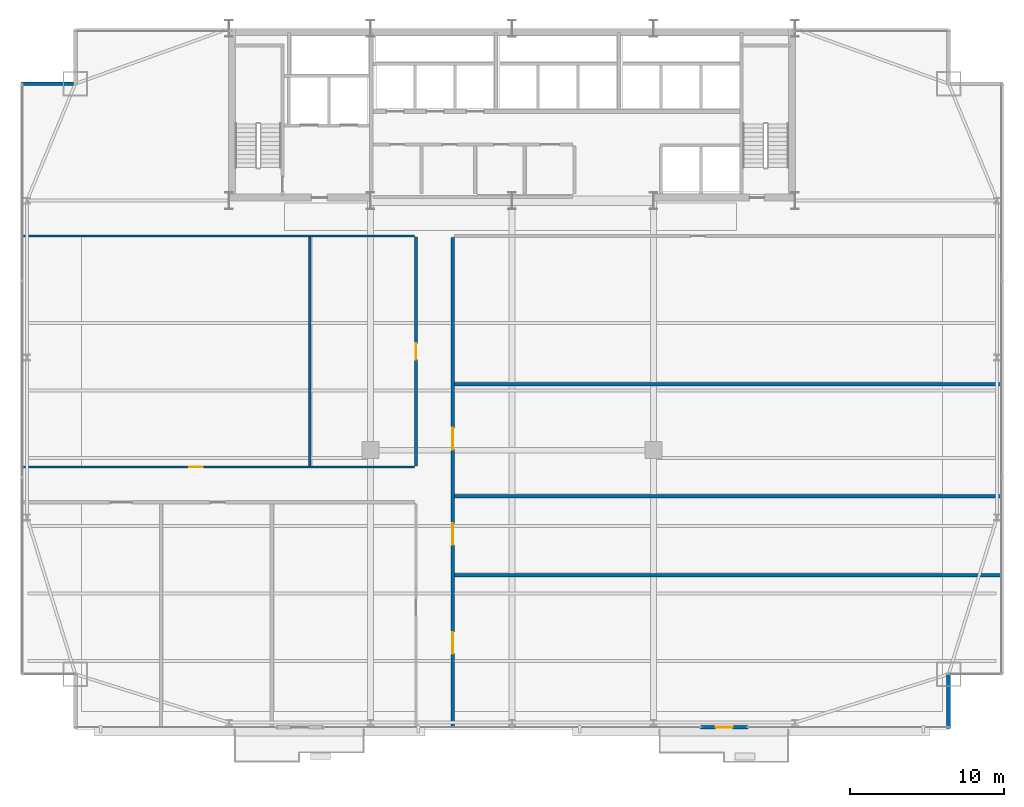
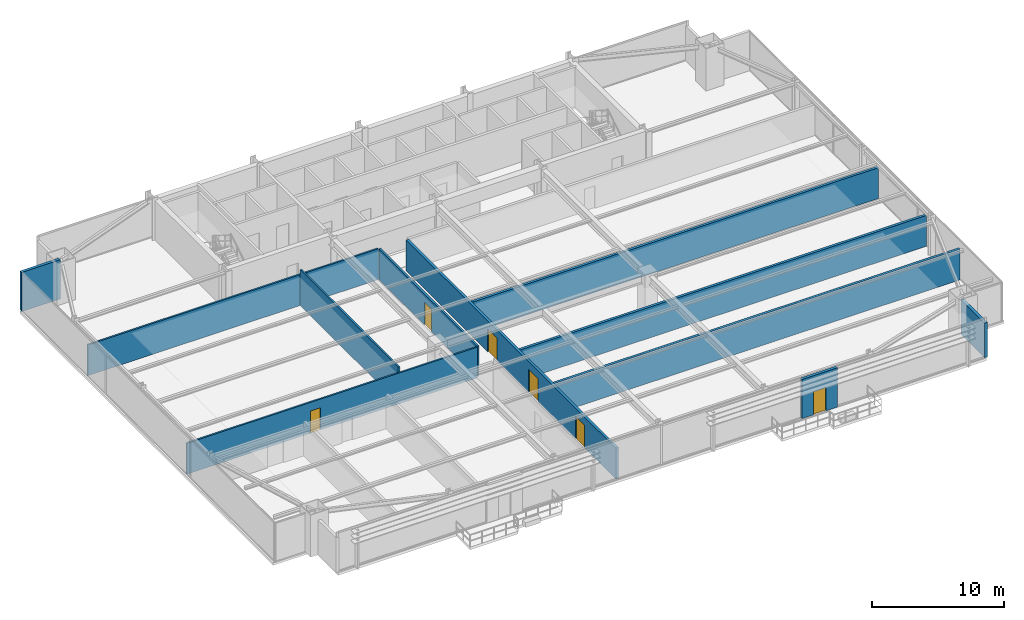
# One storey, part 25 of 29: 11 walls, 6 doors, 6 openings.
"""IFC4 building model written with IfcOpenShell, lengths in metres."""

import ifcopenshell
import ifcopenshell.guid

model = None  # the IFC model being written
_history = None  # IfcOwnerHistory: only IFC2X3 demands one
_inside = {}  # id of a spatial element -> (the spatial element, [elements in it])
_under = {}  # id of a project, library or spatial element -> (it, [spatial elements below it])
_declared = {}  # id of a project -> (the project, [libraries it declares])
_typed = {}  # id of a type object -> (the type object, [elements of that type])
_made_of = {}  # id of a material, layer set ... -> (it, [elements and type objects made of it])


def new_model(schema):
    """Start an empty IFC model of exactly this schema.

    Asked for "IFC4X3", IfcOpenShell would pick the latest addendum, in which some entities
    have other attributes; the version numbers below select the first issue.
    IFC2X3 requires an IfcOwnerHistory on every rooted entity: one is made here for all.
    """
    global model, _history
    if schema == "IFC4X3":
        model = ifcopenshell.file(schema_version=(4, 3, 0, 0))
    else:
        model = ifcopenshell.file(schema=schema)
    _inside.clear()
    _under.clear()
    _declared.clear()
    _typed.clear()
    _made_of.clear()
    _history = None
    if model.schema == "IFC2X3":
        org = make("IfcOrganization", Name="unknown")
        user = make(
            "IfcPersonAndOrganization",
            ThePerson=make("IfcPerson", FamilyName="unknown"),
            TheOrganization=org,
        )
        app = make(
            "IfcApplication",
            ApplicationDeveloper=org,
            Version="unknown",
            ApplicationFullName="unknown",
            ApplicationIdentifier="unknown",
        )
        _history = make(
            "IfcOwnerHistory",
            OwningUser=user,
            OwningApplication=app,
            ChangeAction="ADDED",
            CreationDate=0,
        )
    return model


def make(cls, **values):
    """One entity of the class cls with the attributes given. An attribute that is None is left unset."""
    return model.create_entity(
        cls, **{name: value for name, value in values.items() if value is not None}
    )


def rooted(cls, **values):
    """An entity with a GlobalId (a new one), such as an element, a storey or a relation."""
    return make(cls, GlobalId=ifcopenshell.guid.new(), OwnerHistory=_history, **values)


def si_unit(unit_type, name, prefix=None):
    """IfcSIUnit, for example si_unit("LENGTHUNIT", "METRE", prefix="MILLI")."""
    return make("IfcSIUnit", UnitType=unit_type, Prefix=prefix, Name=name)


def assignment(units):
    """IfcUnitAssignment: the units of a project."""
    return None if units is None else make("IfcUnitAssignment", Units=units)


def point(xyz):
    """IfcCartesianPoint."""
    return None if xyz is None else make("IfcCartesianPoint", Coordinates=xyz)


def direction(xyz):
    """IfcDirection."""
    return None if xyz is None else make("IfcDirection", DirectionRatios=xyz)


def frame(location, z_axis=None, x_axis=None):
    """IfcAxis2Placement3D, a coordinate frame: its origin and axes. An axis left out is left unset."""
    return make(
        "IfcAxis2Placement3D",
        Location=point(location),
        Axis=direction(z_axis),
        RefDirection=direction(x_axis),
    )


def frame_2d(location, x_axis=None):
    """IfcAxis2Placement2D, a coordinate frame in the plane: its origin and x axis."""
    return make(
        "IfcAxis2Placement2D", Location=point(location), RefDirection=direction(x_axis)
    )


def origin():
    """The frame at (0, 0, 0) with its axes left unset."""
    return frame((0.0, 0.0, 0.0))


def place(relative_to, where):
    """IfcLocalPlacement: puts the frame where relative to a parent placement (None: the world)."""
    return make(
        "IfcLocalPlacement", PlacementRelTo=relative_to, RelativePlacement=where
    )


def context(
    kind, dimensions, precision=None, world=None, true_north=None, identifier=None
):
    """IfcGeometricRepresentationContext, for example the 3D "Model" context."""
    return make(
        "IfcGeometricRepresentationContext",
        ContextIdentifier=identifier,
        ContextType=kind,
        CoordinateSpaceDimension=dimensions,
        Precision=precision,
        WorldCoordinateSystem=world,
        TrueNorth=true_north,
    )


def subcontext(parent, identifier, kind, view, scale=None):
    """IfcGeometricRepresentationSubContext, for example "Body" below "Model"."""
    return make(
        "IfcGeometricRepresentationSubContext",
        ContextIdentifier=identifier,
        ContextType=kind,
        ParentContext=parent,
        TargetScale=scale,
        TargetView=view,
    )


def project(units=None, contexts=None):
    """IfcProject with its units and contexts."""
    return rooted(
        "IfcProject",
        Name="project",
        RepresentationContexts=contexts,
        UnitsInContext=assignment(units),
    )


def spatial(cls, under=None, at=None, **own):
    """A site, building, storey or space (cls), placed at a placement, below another one or the project."""
    s = rooted(cls, ObjectPlacement=at, **own)
    if under is not None:
        _under.setdefault(under.id(), (under, []))[1].append(s)
    return s


def profile(cls, at=None, kind="AREA", **sizes):
    """A parametric profile (cls). Its sizes go by their IFC names, for example OverallWidth=200.0."""
    return make(cls, ProfileType=kind, Position=at, **sizes)


def rectangle(**sizes):
    """IfcRectangleProfileDef."""
    return profile("IfcRectangleProfileDef", **sizes)


def extrude(swept, where, along, depth):
    """IfcExtrudedAreaSolid: the profile swept, set in the frame where, extruded along a direction by depth."""
    return make(
        "IfcExtrudedAreaSolid",
        SweptArea=swept,
        Position=where,
        ExtrudedDirection=direction(along),
        Depth=depth,
    )


def shape(context_of_items, identifier, shape_type, items):
    """IfcShapeRepresentation: the items that make up one representation, for example the "Body"."""
    return make(
        "IfcShapeRepresentation",
        ContextOfItems=context_of_items,
        RepresentationIdentifier=identifier,
        RepresentationType=shape_type,
        Items=items,
    )


def source(mapping_origin, context_of_items, identifier, shape_type, items):
    """IfcRepresentationMap: a shape defined once, which mapped items show again and again."""
    return make(
        "IfcRepresentationMap",
        MappingOrigin=mapping_origin,
        MappedRepresentation=shape(context_of_items, identifier, shape_type, items),
    )


def transform(
    local_origin,
    x_axis=None,
    y_axis=None,
    z_axis=None,
    scale=None,
    scale2=None,
    scale3=None,
    uniform=True,
):
    """IfcCartesianTransformationOperator3D, or its non-uniform kind. x_axis, y_axis, z_axis: its Axis1, 2, 3."""
    if uniform:
        return make(
            "IfcCartesianTransformationOperator3D",
            Axis1=direction(x_axis),
            Axis2=direction(y_axis),
            LocalOrigin=point(local_origin),
            Scale=scale,
            Axis3=direction(z_axis),
        )
    return make(
        "IfcCartesianTransformationOperator3DnonUniform",
        Axis1=direction(x_axis),
        Axis2=direction(y_axis),
        LocalOrigin=point(local_origin),
        Scale=scale,
        Axis3=direction(z_axis),
        Scale2=scale2,
        Scale3=scale3,
    )


def mapped(mapping_source, mapping_target):
    """IfcMappedItem: shows the shape of a source again, moved by a transform."""
    return make(
        "IfcMappedItem", MappingSource=mapping_source, MappingTarget=mapping_target
    )


def material(Name=None, Category=None):
    """IfcMaterial."""
    return make("IfcMaterial", Name=Name, Category=Category)


def layer(
    of_material, thickness, ventilated=None, Name=None, Category=None, Priority=None
):
    """IfcMaterialLayer: one layer of a wall or slab, of a material (None: an air gap)."""
    return make(
        "IfcMaterialLayer",
        Material=of_material,
        LayerThickness=thickness,
        IsVentilated=ventilated,
        Name=Name,
        Category=Category,
        Priority=Priority,
    )


def layer_set(layers, Name=None):
    """IfcMaterialLayerSet."""
    return make("IfcMaterialLayerSet", MaterialLayers=layers, LayerSetName=Name)


def made_of(thing, what):
    """Note that an element or type object is made of a material, layer set ...; save() writes the relation."""
    if what is not None:
        _made_of.setdefault(what.id(), (what, []))[1].append(thing)
    return thing


def type_object(cls, material=None, **own):
    """A type object (cls), such as IfcWallType, which elements share."""
    return made_of(rooted(cls, **own), material)


def type_shapes(of_type, sources):
    """Give a type object the sources (RepresentationMaps) that its elements show as mapped items."""
    of_type.RepresentationMaps = sources


def element(
    cls,
    number,
    at=None,
    inside=None,
    cuts=None,
    type_object=None,
    material=None,
    context=None,
    identifier="Body",
    shape_type=None,
    held_by="IfcProductDefinitionShape",
    body=None,
    shapes=None,
    **own,
):
    """One element of the class cls, such as IfcWall. Its Tag is "e" and its number.

    at: its placement. inside: the storey or other place that contains it. cuts: it is an
    opening in that element (IfcRelVoidsElement). A single representation is given by context,
    identifier, shape_type and body (its items); several are given by shapes. held_by: the class
    of the entity that holds the representations. save() writes the other relations.
    """
    e = rooted(cls, Tag="e%d" % number, ObjectPlacement=at, **own)
    if body is not None:
        shapes = [shape(context, identifier, shape_type, body)]
    if shapes is not None:
        e.Representation = make(held_by, Representations=shapes)
    if inside is not None:
        _inside.setdefault(inside.id(), (inside, []))[1].append(e)
    if cuts is not None:
        rooted(
            "IfcRelVoidsElement", RelatingBuildingElement=cuts, RelatedOpeningElement=e
        )
    if type_object is not None:
        _typed.setdefault(type_object.id(), (type_object, []))[1].append(e)
    return made_of(e, material)


def fill(opening, filler):
    """IfcRelFillsElement: the door or window that sits in an opening."""
    return rooted(
        "IfcRelFillsElement",
        RelatingOpeningElement=opening,
        RelatedBuildingElement=filler,
    )


def aggregate(whole, parts):
    """IfcRelAggregates: a whole, such as a stair, and the parts it consists of."""
    return rooted("IfcRelAggregates", RelatingObject=whole, RelatedObjects=parts)


def save(model, path):
    """Write the relations noted so far, then the file.

    IfcRelAggregates (storeys below a building ...), IfcRelContainedInSpatialStructure (elements
    in a storey), IfcRelDefinesByType, IfcRelAssociatesMaterial and IfcRelDeclares: one each for
    every whole, place, type object, material and project.
    """
    for whole, parts in _under.values():
        aggregate(whole, parts)
    for where, things in _inside.values():
        rooted(
            "IfcRelContainedInSpatialStructure",
            RelatedElements=things,
            RelatingStructure=where,
        )
    for kind, things in _typed.values():
        rooted("IfcRelDefinesByType", RelatedObjects=things, RelatingType=kind)
    for what, things in _made_of.values():
        rooted("IfcRelAssociatesMaterial", RelatedObjects=things, RelatingMaterial=what)
    for by, libraries in _declared.values():
        rooted("IfcRelDeclares", RelatingContext=by, RelatedDefinitions=libraries)
    model.write(path)


model = new_model("IFC4")

# Units and contexts
model_context = context("Model", 3, precision=1e-05, world=origin(), true_north=direction((0.0, 1.0)))
body_context = subcontext(model_context, "Body", "Model", "MODEL_VIEW")
ifc_project = project(units=[si_unit("LENGTHUNIT", "METRE"), si_unit("AREAUNIT", "SQUARE_METRE"), si_unit("VOLUMEUNIT", "CUBIC_METRE"), si_unit("PLANEANGLEUNIT", "RADIAN"), si_unit("MASSUNIT", "GRAM", prefix="KILO")], contexts=[model_context])

# Site, building, storey
site_placement = place(None, origin())
site = spatial("IfcSite", under=ifc_project, at=site_placement, CompositionType="ELEMENT")
building_placement = place(site_placement, origin())
building = spatial("IfcBuilding", under=site, at=building_placement, Name="Varnel Quay Broadcast Tower", CompositionType="ELEMENT")
storey_placement = place(building_placement, frame((0.0, 0.0, 74.39990234375)))
storey = spatial("IfcBuildingStorey", under=building, at=storey_placement, Name="L17", CompositionType="ELEMENT", Elevation=74.39990234375)

# Wall, opening, door
ifc_material_1 = material(Name="Precast Architectural Concrete C40/50", Category="concrete")
ifc_layer_1 = layer(ifc_material_1, 0.25, Name="Precast Architectural Concrete C40/50")
ifc_layer_set_1 = layer_set([ifc_layer_1], Name="Precast Architectural Concrete C40/50")
wall_type_1 = type_object("IfcWallType", Name="Wall_ExtTerrace250", PredefinedType="SOLIDWALL", material=ifc_layer_set_1)
wall_1_placement = place(storey_placement, frame((46.25, 1.35009765625, 0.0), z_axis=(0.0, 0.0, 1.0), x_axis=(1.0, 0.0, 0.0)))
wall_1 = element("IfcWall", 1, at=wall_1_placement, inside=storey, type_object=wall_type_1, Name="L17 Terrace Access Wall 2", PredefinedType="SOLIDWALL", context=body_context, shape_type="SweptSolid", body=[
    extrude(rectangle(XDim=3.10009765625, YDim=0.25, at=frame_2d((1.550048828125, 0.0))), origin(), (0.0, 0.0, 1.0), 3.630126953125),
])
opening_1_placement = place(wall_1_placement, frame((1.0, 0.0, 0.0)))
opening_1 = element("IfcOpeningElement", 2, at=opening_1_placement, cuts=wall_1, Name="Opening TD-172", PredefinedType="OPENING", context=body_context, shape_type="SweptSolid", body=[
    extrude(rectangle(XDim=1.10009765625, YDim=2.14990234375, at=frame_2d((0.550048828125, 1.074951171875))), frame((0.0, 0.135009765625, 0.0), z_axis=(0.0, -1.0, 0.0), x_axis=(1.0, 0.0, 0.0)), (0.0, 0.0, 1.0), 0.27001953125),
])
ifc_material_2 = material(Name="Anodised Bronze Aluminium 6063-T6", Category="aluminium")
door_type_1 = type_object("IfcDoorType", Name="Door_ExtTerrace1100", OperationType="NOTDEFINED", PredefinedType="DOOR", material=ifc_material_2)
shared_shape_1 = source(origin(), body_context, "Body", "SweptSolid", [
    extrude(rectangle(XDim=1.10009765625, YDim=2.14990234375, at=frame_2d((0.550048828125, 1.074951171875))), frame((0.0, 0.02490234375, 0.0), z_axis=(0.0, -1.0, 0.0), x_axis=(1.0, 0.0, 0.0)), (0.0, 0.0, 1.0), 0.050048828125),
])
type_shapes(door_type_1, [shared_shape_1])
door_1_placement = place(opening_1_placement, frame((1.10009765625, 0.0, 0.0), z_axis=(0.0, 0.0, 1.0), x_axis=(-1.0, 0.0, 0.0)))
door_1 = element("IfcDoor", 3, at=door_1_placement, inside=storey, type_object=door_type_1, Name="L17 Terrace Door TD-172", OperationType="SINGLE_SWING_RIGHT", OverallHeight=2.14990234375, OverallWidth=1.10009765625, PredefinedType="DOOR", context=body_context, shape_type="MappedRepresentation", body=[
    mapped(shared_shape_1, transform((0.0, 0.0, 0.0), x_axis=(1.0, 0.0, 0.0), y_axis=(0.0, 1.0, 0.0), z_axis=(0.0, 0.0, 1.0), scale=1.0)),
])
fill(opening_1, door_1)

# Walls
wall_2_placement = place(storey_placement, frame((62.39990234375, 1.280029296875, 0.0), z_axis=(0.0, 0.0, 1.0), x_axis=(0.0, 1.0, 0.0)))
element("IfcWall", 4, at=wall_2_placement, inside=storey, type_object=wall_type_1, Name="L17 Mega-Column Notch Cladding Wall NSE2", PredefinedType="SOLIDWALL", context=body_context, shape_type="SweptSolid", body=[
    extrude(rectangle(XDim=3.599853515625, YDim=0.25, at=frame_2d((1.7998046875, 0.0))), origin(), (0.0, 0.0, 1.0), 3.2080078125),
])
wall_3_placement = place(storey_placement, frame((2.080078125, 43.199951171875, 0.0), z_axis=(0.0, 0.0, 1.0), x_axis=(1.0, 0.0, 0.0)))
element("IfcWall", 5, at=wall_3_placement, inside=storey, type_object=wall_type_1, Name="L17 Mega-Column Notch Cladding Wall NNW1", PredefinedType="SOLIDWALL", context=body_context, shape_type="SweptSolid", body=[
    extrude(rectangle(XDim=3.389892578125, YDim=0.25, at=frame_2d((1.69482421875, 0.0))), origin(), (0.0, 0.0, 1.0), 3.630126953125),
])

# Wall, opening, door
ifc_material_3 = material(Name="Steel-Stud Fire-Rated Acoustic Gypsum Partition Assembly", Category="steel")
ifc_layer_2 = layer(ifc_material_3, 0.14990234375, Name="Steel-Stud Fire-Rated Acoustic Gypsum Partition Assembly")
ifc_layer_set_2 = layer_set([ifc_layer_2], Name="Steel-Stud Fire-Rated Acoustic Gypsum Partition Assembly")
wall_type_2 = type_object("IfcWallType", Name="Wall_Partition150", PredefinedType="PARTITIONING", material=ifc_layer_set_2)
wall_4_placement = place(storey_placement, frame((2.179931640625, 18.280029296875, 0.0), z_axis=(0.0, 0.0, 1.0), x_axis=(1.0, 0.0, 0.0)))
wall_4 = element("IfcWall", 6, at=wall_4_placement, inside=storey, type_object=wall_type_2, Name="L17 Pantry Niche 4 Partition 11", PredefinedType="PARTITIONING", context=body_context, shape_type="SweptSolid", body=[
    extrude(rectangle(XDim=25.469970703125, YDim=0.14990234375, at=frame_2d((12.73486328125, 0.0))), origin(), (0.0, 0.0, 1.0), 2.85205078125),
])
opening_2_placement = place(wall_4_placement, frame((10.830078125, 0.0, 0.0)))
opening_2 = element("IfcOpeningElement", 7, at=opening_2_placement, cuts=wall_4, Name="Opening D-L17-08", PredefinedType="OPENING", context=body_context, shape_type="SweptSolid", body=[
    extrude(rectangle(XDim=0.8798828125, YDim=2.06005859375, at=frame_2d((0.43994140625, 1.030029296875))), frame((0.0, 0.0849609375, 0.0), z_axis=(0.0, -1.0, 0.0), x_axis=(1.0, 0.0, 0.0)), (0.0, 0.0, 1.0), 0.169921875),
])
ifc_material_4 = material(Name="Solid-Core Fire-Rated Acoustic Oak Veneer Door", Category="wood")
door_type_2 = type_object("IfcDoorType", Name="Door_Booth880", OperationType="NOTDEFINED", PredefinedType="DOOR", material=ifc_material_4)
shared_shape_2 = source(origin(), body_context, "Body", "SweptSolid", [
    extrude(rectangle(XDim=0.8798828125, YDim=2.06005859375, at=frame_2d((0.43994140625, 1.030029296875))), frame((0.0, 0.02490234375, 0.0), z_axis=(0.0, -1.0, 0.0), x_axis=(1.0, 0.0, 0.0)), (0.0, 0.0, 1.0), 0.050048828125),
])
type_shapes(door_type_2, [shared_shape_2])
door_2_placement = place(opening_2_placement, origin())
door_2 = element("IfcDoor", 8, at=door_2_placement, inside=storey, type_object=door_type_2, Name="L17 Pantry Niche 4 Door D-L17-08", OperationType="SINGLE_SWING_LEFT", OverallHeight=2.06005859375, OverallWidth=0.8798828125, PredefinedType="DOOR", context=body_context, shape_type="MappedRepresentation", body=[
    mapped(shared_shape_2, transform((0.0, 0.0, 0.0), x_axis=(1.0, 0.0, 0.0), y_axis=(0.0, 1.0, 0.0), z_axis=(0.0, 0.0, 1.0), scale=1.0)),
])
fill(opening_2, door_2)

# Walls
wall_5_placement = place(storey_placement, frame((20.85009765625, 18.35498046875, 0.0), z_axis=(0.0, 0.0, 1.0), x_axis=(0.0, 1.0, 0.0)))
element("IfcWall", 9, at=wall_5_placement, inside=storey, type_object=wall_type_2, Name="L17 Pantry Niche 4 Partition 12", PredefinedType="PARTITIONING", context=body_context, shape_type="SweptSolid", body=[
    extrude(rectangle(XDim=14.8701171875, YDim=0.14990234375, at=frame_2d((7.43505859375, 0.0))), origin(), (0.0, 0.0, 1.0), 3.322021484375),
])
wall_6_placement = place(storey_placement, frame((2.179931640625, 33.300048828125, 0.0), z_axis=(0.0, 0.0, 1.0), x_axis=(1.0, 0.0, 0.0)))
element("IfcWall", 10, at=wall_6_placement, inside=storey, type_object=wall_type_2, Name="L17 Pantry Niche 4 Partition 13", PredefinedType="PARTITIONING", context=body_context, shape_type="SweptSolid", body=[
    extrude(rectangle(XDim=25.469970703125, YDim=0.14990234375, at=frame_2d((12.73486328125, 0.0))), origin(), (0.0, 0.0, 1.0), 2.85205078125),
])

# Wall, opening, door
ifc_layer_3 = layer(ifc_material_3, 0.175048828125, Name="Steel-Stud Fire-Rated Acoustic Gypsum Partition Assembly")
ifc_layer_set_3 = layer_set([ifc_layer_3], Name="Steel-Stud Fire-Rated Acoustic Gypsum Partition Assembly")
wall_type_3 = type_object("IfcWallType", Name="Wall_Partition175", PredefinedType="PARTITIONING", material=ifc_layer_set_3)
wall_7_placement = place(storey_placement, frame((27.75, 18.35498046875, 0.0), z_axis=(0.0, 0.0, 1.0), x_axis=(0.0, 1.0, 0.0)))
wall_7 = element("IfcWall", 11, at=wall_7_placement, inside=storey, type_object=wall_type_3, Name="L17 Broadcast Seminar Room 5 Partition 14", PredefinedType="PARTITIONING", context=body_context, shape_type="SweptSolid", body=[
    extrude(rectangle(XDim=14.8701171875, YDim=0.175048828125, at=frame_2d((7.43505859375, 0.0))), origin(), (0.0, 0.0, 1.0), 2.85205078125),
])
opening_3_placement = place(wall_7_placement, frame((6.909912109375, 0.0, 0.0)))
opening_3 = element("IfcOpeningElement", 12, at=opening_3_placement, cuts=wall_7, Name="Opening D-L17-09", PredefinedType="OPENING", context=body_context, shape_type="SweptSolid", body=[
    extrude(rectangle(XDim=1.050048828125, YDim=2.10009765625, at=frame_2d((0.52490234375, 1.050048828125))), frame((0.0, 0.09765625, 0.0), z_axis=(0.0, -1.0, 0.0), x_axis=(1.0, 0.0, 0.0)), (0.0, 0.0, 1.0), 0.195068359375),
])
door_type_3 = type_object("IfcDoorType", Name="Door_Meeting1050", OperationType="NOTDEFINED", PredefinedType="DOOR", material=ifc_material_4)
shared_shape_3 = source(origin(), body_context, "Body", "SweptSolid", [
    extrude(rectangle(XDim=1.050048828125, YDim=2.10009765625, at=frame_2d((0.52490234375, 1.050048828125))), frame((0.0, 0.02490234375, 0.0), z_axis=(0.0, -1.0, 0.0), x_axis=(1.0, 0.0, 0.0)), (0.0, 0.0, 1.0), 0.050048828125),
])
type_shapes(door_type_3, [shared_shape_3])
door_3_placement = place(opening_3_placement, origin())
door_3 = element("IfcDoor", 13, at=door_3_placement, inside=storey, type_object=door_type_3, Name="L17 Broadcast Seminar Room 5 Door D-L17-09", OperationType="SINGLE_SWING_RIGHT", OverallHeight=2.10009765625, OverallWidth=1.050048828125, PredefinedType="DOOR", context=body_context, shape_type="MappedRepresentation", body=[
    mapped(shared_shape_3, transform((0.0, 0.0, 0.0), x_axis=(1.0, 0.0, 0.0), y_axis=(0.0, 1.0, 0.0), z_axis=(0.0, 0.0, 1.0), scale=1.0)),
])
fill(opening_3, door_3)

# Wall
ifc_layer_4 = layer(ifc_material_3, 0.22509765625, Name="Steel-Stud Fire-Rated Acoustic Gypsum Partition Assembly")
ifc_layer_set_4 = layer_set([ifc_layer_4], Name="Steel-Stud Fire-Rated Acoustic Gypsum Partition Assembly")
wall_type_4 = type_object("IfcWallType", Name="Wall_Partition225", PredefinedType="PARTITIONING", material=ifc_layer_set_4)
wall_8_placement = place(storey_placement, frame((30.25, 11.239990234375, 0.0), z_axis=(0.0, 0.0, 1.0), x_axis=(1.0, 0.0, 0.0)))
element("IfcWall", 14, at=wall_8_placement, inside=storey, type_object=wall_type_4, Name="L17 Podcast Recording Studio 6 Partition 15", PredefinedType="PARTITIONING", context=body_context, shape_type="SweptSolid", body=[
    extrude(rectangle(XDim=35.570068359375, YDim=0.22509765625, at=frame_2d((17.78515625, 0.0))), origin(), (0.0, 0.0, 1.0), 2.85205078125),
])

# Wall, openings, doors
wall_9_placement = place(storey_placement, frame((30.14990234375, 1.3798828125, 0.0), z_axis=(0.0, 0.0, 1.0), x_axis=(0.0, 1.0, 0.0)))
wall_9 = element("IfcWall", 15, at=wall_9_placement, inside=storey, type_object=wall_type_4, Name="L17 Podcast Recording Studio 6 Partition 16", PredefinedType="PARTITIONING", context=body_context, shape_type="SweptSolid", body=[
    extrude(rectangle(XDim=31.80810546875, YDim=0.22509765625, at=frame_2d((15.904052734375, 0.0))), origin(), (0.0, 0.0, 1.0), 2.85205078125),
])
opening_4_placement = place(wall_9_placement, frame((4.760009765625, 0.0, 0.0)))
opening_4 = element("IfcOpeningElement", 16, at=opening_4_placement, cuts=wall_9, Name="Opening D-L17-10", PredefinedType="OPENING", context=body_context, shape_type="SweptSolid", body=[
    extrude(rectangle(XDim=1.39990234375, YDim=2.1201171875, at=frame_2d((0.699951171875, 1.06005859375))), frame((0.0, 0.12255859375, 0.0), z_axis=(0.0, -1.0, 0.0), x_axis=(1.0, 0.0, 0.0)), (0.0, 0.0, 1.0), 0.2451171875),
])
opening_5_placement = place(wall_9_placement, frame((11.824951171875, 0.0, 0.0)))
opening_5 = element("IfcOpeningElement", 17, at=opening_5_placement, cuts=wall_9, Name="Opening D-L17-11", PredefinedType="OPENING", context=body_context, shape_type="SweptSolid", body=[
    extrude(rectangle(XDim=1.39990234375, YDim=2.1201171875, at=frame_2d((0.699951171875, 1.06005859375))), frame((0.0, 0.12255859375, 0.0), z_axis=(0.0, -1.0, 0.0), x_axis=(1.0, 0.0, 0.0)), (0.0, 0.0, 1.0), 0.2451171875),
])
opening_6_placement = place(wall_9_placement, frame((18.034912109375, 0.0, 0.0)))
opening_6 = element("IfcOpeningElement", 18, at=opening_6_placement, cuts=wall_9, Name="Opening D-L17-12", PredefinedType="OPENING", context=body_context, shape_type="SweptSolid", body=[
    extrude(rectangle(XDim=1.39990234375, YDim=2.1201171875, at=frame_2d((0.699951171875, 1.06005859375))), frame((0.0, 0.12255859375, 0.0), z_axis=(0.0, -1.0, 0.0), x_axis=(1.0, 0.0, 0.0)), (0.0, 0.0, 1.0), 0.2451171875),
])
door_type_4 = type_object("IfcDoorType", Name="Door_Gallery1400", OperationType="DOUBLE_DOOR_SINGLE_SWING", PredefinedType="DOOR", material=ifc_material_4)
shared_shape_4 = source(origin(), body_context, "Body", "SweptSolid", [
    extrude(rectangle(XDim=1.39990234375, YDim=2.1201171875, at=frame_2d((0.699951171875, 1.06005859375))), frame((0.0, 0.02490234375, 0.0), z_axis=(0.0, -1.0, 0.0), x_axis=(1.0, 0.0, 0.0)), (0.0, 0.0, 1.0), 0.050048828125),
])
type_shapes(door_type_4, [shared_shape_4])
door_4_placement = place(opening_4_placement, frame((1.39990234375, 0.0, 0.0), z_axis=(0.0, 0.0, 1.0), x_axis=(-1.0, 0.0, 0.0)))
door_4 = element("IfcDoor", 19, at=door_4_placement, inside=storey, type_object=door_type_4, Name="L17 Podcast Recording Studio 6 Door D-L17-10", OperationType="DOUBLE_DOOR_SINGLE_SWING", OverallHeight=2.1201171875, OverallWidth=1.39990234375, PredefinedType="DOOR", context=body_context, shape_type="MappedRepresentation", body=[
    mapped(shared_shape_4, transform((0.0, 0.0, 0.0), x_axis=(1.0, 0.0, 0.0), y_axis=(0.0, 1.0, 0.0), z_axis=(0.0, 0.0, 1.0), scale=1.0)),
])
fill(opening_4, door_4)
door_5_placement = place(opening_5_placement, frame((1.39990234375, 0.0, 0.0), z_axis=(0.0, 0.0, 1.0), x_axis=(-1.0, 0.0, 0.0)))
door_5 = element("IfcDoor", 20, at=door_5_placement, inside=storey, type_object=door_type_4, Name="L17 Foley Sound Studio 7 Door D-L17-11", OperationType="DOUBLE_DOOR_SINGLE_SWING", OverallHeight=2.1201171875, OverallWidth=1.39990234375, PredefinedType="DOOR", context=body_context, shape_type="MappedRepresentation", body=[
    mapped(shared_shape_4, transform((0.0, 0.0, 0.0), x_axis=(1.0, 0.0, 0.0), y_axis=(0.0, 1.0, 0.0), z_axis=(0.0, 0.0, 1.0), scale=1.0)),
])
fill(opening_5, door_5)
door_6_placement = place(opening_6_placement, frame((1.39990234375, 0.0, 0.0), z_axis=(0.0, 0.0, 1.0), x_axis=(-1.0, 0.0, 0.0)))
door_6 = element("IfcDoor", 21, at=door_6_placement, inside=storey, type_object=door_type_4, Name="L17 Voice Booth 8 Door D-L17-12", OperationType="DOUBLE_DOOR_SINGLE_SWING", OverallHeight=2.1201171875, OverallWidth=1.39990234375, PredefinedType="DOOR", context=body_context, shape_type="MappedRepresentation", body=[
    mapped(shared_shape_4, transform((0.0, 0.0, 0.0), x_axis=(1.0, 0.0, 0.0), y_axis=(0.0, 1.0, 0.0), z_axis=(0.0, 0.0, 1.0), scale=1.0)),
])
fill(opening_6, door_6)

# Walls
for number, where, z_axis, x_axis, name in (
    (22, (30.25, 16.3701171875, 0.0), (0.0, 0.0, 1.0), (1.0, 0.0, 0.0), "L17 Foley Sound Studio 7 Partition 17"),
    (23, (30.25, 23.659912109375, 0.0), (0.0, 0.0, 1.0), (1.0, 0.0, 0.0), "L17 Voice Booth 8 Partition 18"),
):
    element("IfcWall", number, at=place(storey_placement, frame(where, z_axis=z_axis, x_axis=x_axis)), inside=storey, type_object=wall_type_4, Name=name, PredefinedType="PARTITIONING", context=body_context, shape_type="SweptSolid", body=[
        extrude(rectangle(XDim=35.570068359375, YDim=0.22509765625, at=frame_2d((17.78515625, 0.0))), origin(), (0.0, 0.0, 1.0), 2.85205078125),
    ])

save(model, "model.ifc")
